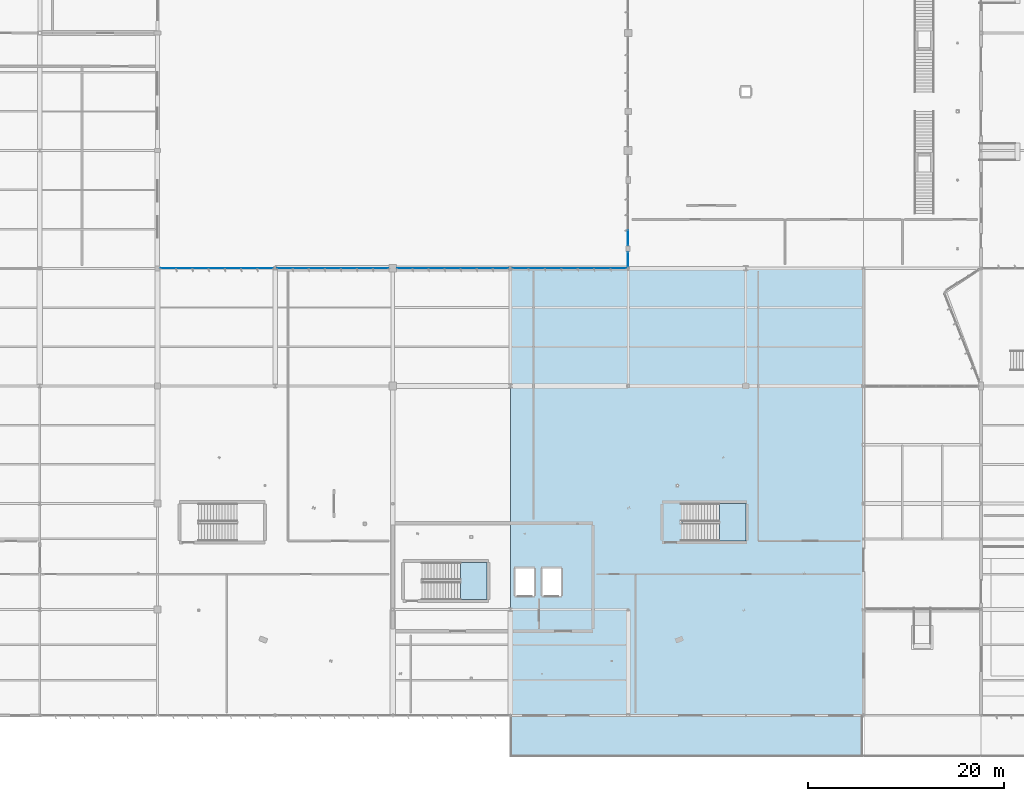
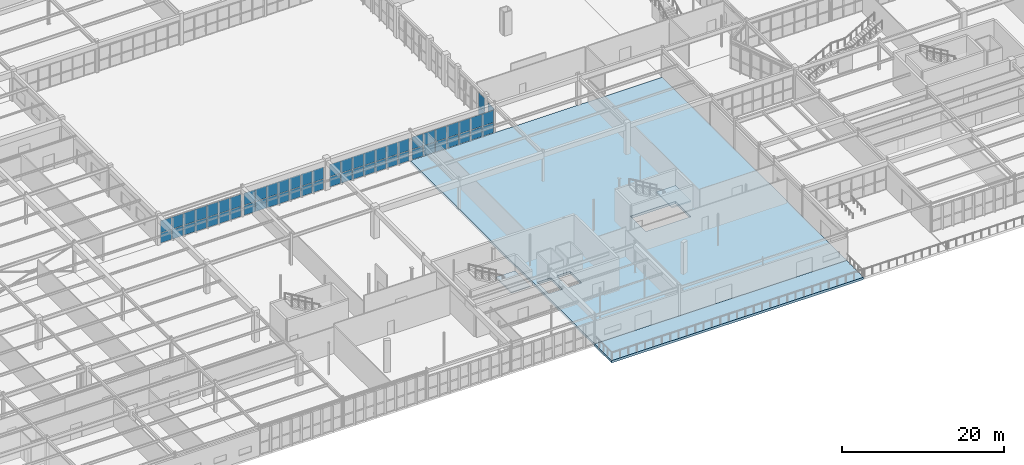
# One storey, part 118 of 199: 60 plates, 4 slabs, 8 elements without a shape of their own.
"""IFC4 building model written with IfcOpenShell, lengths in metres."""

from ifc_helpers import new_model, si_unit, direction, frame, origin, origin_2d, place, context, subcontext, project, spatial, polyline, rectangle, outline, extrude, material, layer, layer_set, type_object, element, aggregate, save


model = new_model("IFC4")

# Units and contexts
model_context = context("Model", 3, precision=1e-05, world=origin(), true_north=direction((0.0, 1.0)))
body_context = subcontext(model_context, "Body", "Model", "MODEL_VIEW")
ifc_project = project(units=[si_unit("LENGTHUNIT", "METRE"), si_unit("AREAUNIT", "SQUARE_METRE"), si_unit("VOLUMEUNIT", "CUBIC_METRE"), si_unit("PLANEANGLEUNIT", "RADIAN"), si_unit("MASSUNIT", "GRAM", prefix="KILO")], contexts=[model_context])

# Site, building, storey
site_placement = place(None, origin())
site = spatial("IfcSite", under=ifc_project, at=site_placement, CompositionType="ELEMENT")
building_placement = place(site_placement, origin())
building = spatial("IfcBuilding", under=site, at=building_placement, Name="Tarnwether General Hospital", CompositionType="ELEMENT")
storey_placement = place(building_placement, origin())
storey = spatial("IfcBuildingStorey", under=building, at=storey_placement, Name="L00", CompositionType="ELEMENT", Elevation=0.0)

# Curtain wall, plates
ifc_material_1 = material(Name="Anodised aluminium", Category="aluminium")
ifc_layer_1 = layer(ifc_material_1, 0.179931640625)
ifc_layer_set_1 = layer_set([ifc_layer_1], Name="Anodised aluminium")
curtain_wall_type_1 = type_object("IfcCurtainWallType", Name="CW-08", PredefinedType="NOTDEFINED", material=ifc_layer_set_1)
curtain_wall_1_placement = place(storey_placement, origin())
curtain_wall_1 = element("IfcCurtainWall", 1, at=curtain_wall_1_placement, inside=storey, type_object=curtain_wall_type_1, Name="Curtain Wall CWG-L00-1080_457-0298", PredefinedType="NOTDEFINED")
ifc_material_2 = material(Name="Double glazed low-E glass", Category="glass")
ifc_layer_2 = layer(ifc_material_2, 0.028076171875)
ifc_layer_set_2 = layer_set([ifc_layer_2], Name="Double glazed low-E glass")
plate_type = type_object("IfcPlateType", Name="PT-CWP1", PredefinedType="CURTAIN_PANEL", material=ifc_layer_set_2)
plate_1_placement = place(storey_placement, frame((108.0, 46.5, 0.06005859375), z_axis=(0.0, 0.0, 1.0), x_axis=(0.0, 1.0, 0.0)))
plate_1 = element("IfcPlate", 2, at=plate_1_placement, type_object=plate_type, Name="CW-08 panel 1.1", PredefinedType="CURTAIN_PANEL", context=body_context, shape_type="SweptSolid", body=[
    extrude(rectangle(XDim=1.464111328125, YDim=0.028076171875, at=origin_2d()), origin(), (0.0, 0.0, 1.0), 1.56591796875),
])
plate_2_placement = place(storey_placement, frame((108.0, 46.5, 1.68603515625), z_axis=(0.0, 0.0, 1.0), x_axis=(0.0, 1.0, 0.0)))
plate_2 = element("IfcPlate", 3, at=plate_2_placement, type_object=plate_type, Name="CW-08 panel 1.2", PredefinedType="CURTAIN_PANEL", context=body_context, shape_type="SweptSolid", body=[
    extrude(rectangle(XDim=1.464111328125, YDim=0.028076171875, at=origin_2d()), origin(), (0.0, 0.0, 1.0), 1.93408203125),
])
aggregate(curtain_wall_1, [plate_1, plate_2])

curtain_wall_2_placement = place(storey_placement, origin())
curtain_wall_2 = element("IfcCurtainWall", 4, at=curtain_wall_2_placement, inside=storey, type_object=curtain_wall_type_1, Name="Curtain Wall CWG-L00-1080_479-0299", PredefinedType="NOTDEFINED")
plate_3_placement = place(storey_placement, frame((108.0, 48.71484375, 0.06005859375), z_axis=(0.0, 0.0, 1.0), x_axis=(0.0, 1.0, 0.0)))
plate_3 = element("IfcPlate", 5, at=plate_3_placement, type_object=plate_type, Name="CW-08 panel 1.1", PredefinedType="CURTAIN_PANEL", context=body_context, shape_type="SweptSolid", body=[
    extrude(rectangle(XDim=1.493408203125, YDim=0.028076171875, at=origin_2d()), origin(), (0.0, 0.0, 1.0), 1.628173828125),
])
plate_4_placement = place(storey_placement, frame((108.0, 48.71484375, 1.748046875), z_axis=(0.0, 0.0, 1.0), x_axis=(0.0, 1.0, 0.0)))
plate_4 = element("IfcPlate", 6, at=plate_4_placement, type_object=plate_type, Name="CW-08 panel 1.2", PredefinedType="CURTAIN_PANEL", context=body_context, shape_type="SweptSolid", body=[
    extrude(rectangle(XDim=1.493408203125, YDim=0.028076171875, at=origin_2d()), origin(), (0.0, 0.0, 1.0), 2.010009765625),
])
aggregate(curtain_wall_2, [plate_3, plate_4])

ifc_material_3 = material(Name="Anodised aluminium", Category="aluminium")
ifc_layer_3 = layer(ifc_material_3, 0.159912109375)
ifc_layer_set_3 = layer_set([ifc_layer_3], Name="Anodised aluminium")
curtain_wall_type_2 = type_object("IfcCurtainWallType", Name="CW-24", PredefinedType="NOTDEFINED", material=ifc_layer_set_3)
curtain_wall_3_placement = place(storey_placement, origin())
curtain_wall_3 = element("IfcCurtainWall", 7, at=curtain_wall_3_placement, inside=storey, type_object=curtain_wall_type_2, Name="Curtain Wall CWG-L00-1079_456-0309", PredefinedType="NOTDEFINED")
plate_5_placement = place(storey_placement, frame((107.039306640625, 45.60009765625, 0.06005859375), z_axis=(0.0, 0.0, 1.0), x_axis=(-1.0, 0.0, 0.0)))
plate_5 = element("IfcPlate", 8, at=plate_5_placement, type_object=plate_type, Name="CW-24 panel 1.1", PredefinedType="CURTAIN_PANEL", context=body_context, shape_type="SweptSolid", body=[
    extrude(rectangle(XDim=1.585693359375, YDim=0.028076171875, at=origin_2d()), origin(), (0.0, 0.0, 1.0), 1.49853515625),
])
plate_6_placement = place(storey_placement, frame((107.039306640625, 45.60009765625, 1.618408203125), z_axis=(0.0, 0.0, 1.0), x_axis=(-1.0, 0.0, 0.0)))
plate_6 = element("IfcPlate", 9, at=plate_6_placement, type_object=plate_type, Name="CW-24 panel 1.2", PredefinedType="CURTAIN_PANEL", context=body_context, shape_type="SweptSolid", body=[
    extrude(rectangle(XDim=1.585693359375, YDim=0.028076171875, at=origin_2d()), origin(), (0.0, 0.0, 1.0), 1.8515625),
])
plate_7_placement = place(storey_placement, frame((105.378662109375, 45.60009765625, 0.06005859375), z_axis=(0.0, 0.0, 1.0), x_axis=(-1.0, 0.0, 0.0)))
plate_7 = element("IfcPlate", 10, at=plate_7_placement, type_object=plate_type, Name="CW-24 panel 2.1", PredefinedType="CURTAIN_PANEL", context=body_context, shape_type="SweptSolid", body=[
    extrude(rectangle(XDim=1.615478515625, YDim=0.028076171875, at=origin_2d()), origin(), (0.0, 0.0, 1.0), 1.49853515625),
])
plate_8_placement = place(storey_placement, frame((105.378662109375, 45.60009765625, 1.618408203125), z_axis=(0.0, 0.0, 1.0), x_axis=(-1.0, 0.0, 0.0)))
plate_8 = element("IfcPlate", 11, at=plate_8_placement, type_object=plate_type, Name="CW-24 panel 2.2", PredefinedType="CURTAIN_PANEL", context=body_context, shape_type="SweptSolid", body=[
    extrude(rectangle(XDim=1.615478515625, YDim=0.028076171875, at=origin_2d()), origin(), (0.0, 0.0, 1.0), 1.8515625),
])
plate_9_placement = place(storey_placement, frame((103.703125, 45.60009765625, 0.06005859375), z_axis=(0.0, 0.0, 1.0), x_axis=(-1.0, 0.0, 0.0)))
plate_9 = element("IfcPlate", 12, at=plate_9_placement, type_object=plate_type, Name="CW-24 panel 3.1", PredefinedType="CURTAIN_PANEL", context=body_context, shape_type="SweptSolid", body=[
    extrude(rectangle(XDim=1.615478515625, YDim=0.028076171875, at=origin_2d()), origin(), (0.0, 0.0, 1.0), 1.49853515625),
])
plate_10_placement = place(storey_placement, frame((103.703125, 45.60009765625, 1.618408203125), z_axis=(0.0, 0.0, 1.0), x_axis=(-1.0, 0.0, 0.0)))
plate_10 = element("IfcPlate", 13, at=plate_10_placement, type_object=plate_type, Name="CW-24 panel 3.2", PredefinedType="CURTAIN_PANEL", context=body_context, shape_type="SweptSolid", body=[
    extrude(rectangle(XDim=1.615478515625, YDim=0.028076171875, at=origin_2d()), origin(), (0.0, 0.0, 1.0), 1.8515625),
])
plate_11_placement = place(storey_placement, frame((102.027587890625, 45.60009765625, 0.06005859375), z_axis=(0.0, 0.0, 1.0), x_axis=(-1.0, 0.0, 0.0)))
plate_11 = element("IfcPlate", 14, at=plate_11_placement, type_object=plate_type, Name="CW-24 panel 4.1", PredefinedType="CURTAIN_PANEL", context=body_context, shape_type="SweptSolid", body=[
    extrude(rectangle(XDim=1.615478515625, YDim=0.028076171875, at=origin_2d()), origin(), (0.0, 0.0, 1.0), 1.49853515625),
])
plate_12_placement = place(storey_placement, frame((102.027587890625, 45.60009765625, 1.618408203125), z_axis=(0.0, 0.0, 1.0), x_axis=(-1.0, 0.0, 0.0)))
plate_12 = element("IfcPlate", 15, at=plate_12_placement, type_object=plate_type, Name="CW-24 panel 4.2", PredefinedType="CURTAIN_PANEL", context=body_context, shape_type="SweptSolid", body=[
    extrude(rectangle(XDim=1.615478515625, YDim=0.028076171875, at=origin_2d()), origin(), (0.0, 0.0, 1.0), 1.8515625),
])
plate_13_placement = place(storey_placement, frame((100.351806640625, 45.60009765625, 0.06005859375), z_axis=(0.0, 0.0, 1.0), x_axis=(-1.0, 0.0, 0.0)))
plate_13 = element("IfcPlate", 16, at=plate_13_placement, type_object=plate_type, Name="CW-24 panel 5.1", PredefinedType="CURTAIN_PANEL", context=body_context, shape_type="SweptSolid", body=[
    extrude(rectangle(XDim=1.615478515625, YDim=0.028076171875, at=origin_2d()), origin(), (0.0, 0.0, 1.0), 1.49853515625),
])
plate_14_placement = place(storey_placement, frame((100.351806640625, 45.60009765625, 1.618408203125), z_axis=(0.0, 0.0, 1.0), x_axis=(-1.0, 0.0, 0.0)))
plate_14 = element("IfcPlate", 17, at=plate_14_placement, type_object=plate_type, Name="CW-24 panel 5.2", PredefinedType="CURTAIN_PANEL", context=body_context, shape_type="SweptSolid", body=[
    extrude(rectangle(XDim=1.615478515625, YDim=0.028076171875, at=origin_2d()), origin(), (0.0, 0.0, 1.0), 1.8515625),
])
plate_15_placement = place(storey_placement, frame((98.67626953125, 45.60009765625, 0.06005859375), z_axis=(0.0, 0.0, 1.0), x_axis=(-1.0, 0.0, 0.0)))
plate_15 = element("IfcPlate", 18, at=plate_15_placement, type_object=plate_type, Name="CW-24 panel 6.1", PredefinedType="CURTAIN_PANEL", context=body_context, shape_type="SweptSolid", body=[
    extrude(rectangle(XDim=1.615478515625, YDim=0.028076171875, at=origin_2d()), origin(), (0.0, 0.0, 1.0), 1.49853515625),
])
plate_16_placement = place(storey_placement, frame((98.67626953125, 45.60009765625, 1.618408203125), z_axis=(0.0, 0.0, 1.0), x_axis=(-1.0, 0.0, 0.0)))
plate_16 = element("IfcPlate", 19, at=plate_16_placement, type_object=plate_type, Name="CW-24 panel 6.2", PredefinedType="CURTAIN_PANEL", context=body_context, shape_type="SweptSolid", body=[
    extrude(rectangle(XDim=1.615478515625, YDim=0.028076171875, at=origin_2d()), origin(), (0.0, 0.0, 1.0), 1.8515625),
])
plate_17_placement = place(storey_placement, frame((97.015869140625, 45.60009765625, 0.06005859375), z_axis=(0.0, 0.0, 1.0), x_axis=(-1.0, 0.0, 0.0)))
plate_17 = element("IfcPlate", 20, at=plate_17_placement, type_object=plate_type, Name="CW-24 panel 7.1", PredefinedType="CURTAIN_PANEL", context=body_context, shape_type="SweptSolid", body=[
    extrude(rectangle(XDim=1.585693359375, YDim=0.028076171875, at=origin_2d()), origin(), (0.0, 0.0, 1.0), 1.49853515625),
])
plate_18_placement = place(storey_placement, frame((97.015869140625, 45.60009765625, 1.618408203125), z_axis=(0.0, 0.0, 1.0), x_axis=(-1.0, 0.0, 0.0)))
plate_18 = element("IfcPlate", 21, at=plate_18_placement, type_object=plate_type, Name="CW-24 panel 7.2", PredefinedType="CURTAIN_PANEL", context=body_context, shape_type="SweptSolid", body=[
    extrude(rectangle(XDim=1.585693359375, YDim=0.028076171875, at=origin_2d()), origin(), (0.0, 0.0, 1.0), 1.8515625),
])
aggregate(curtain_wall_3, [plate_5, plate_6, plate_7, plate_8, plate_9, plate_10, plate_11, plate_12, plate_13, plate_14, plate_15, plate_16, plate_17, plate_18])

curtain_wall_4_placement = place(storey_placement, origin())
curtain_wall_4 = element("IfcCurtainWall", 22, at=curtain_wall_4_placement, inside=storey, type_object=curtain_wall_type_2, Name="Curtain Wall CWG-L00-958_456-0310", PredefinedType="NOTDEFINED")
plate_19_placement = place(storey_placement, frame((95.00390625, 45.60009765625, 0.06005859375), z_axis=(0.0, 0.0, 1.0), x_axis=(-1.0, 0.0, 0.0)))
plate_19 = element("IfcPlate", 23, at=plate_19_placement, type_object=plate_type, Name="CW-24 panel 1.1", PredefinedType="CURTAIN_PANEL", context=body_context, shape_type="SweptSolid", body=[
    extrude(rectangle(XDim=1.54638671875, YDim=0.028076171875, at=origin_2d()), origin(), (0.0, 0.0, 1.0), 1.49853515625),
])
plate_20_placement = place(storey_placement, frame((95.00390625, 45.60009765625, 1.618408203125), z_axis=(0.0, 0.0, 1.0), x_axis=(-1.0, 0.0, 0.0)))
plate_20 = element("IfcPlate", 24, at=plate_20_placement, type_object=plate_type, Name="CW-24 panel 1.2", PredefinedType="CURTAIN_PANEL", context=body_context, shape_type="SweptSolid", body=[
    extrude(rectangle(XDim=1.54638671875, YDim=0.028076171875, at=origin_2d()), origin(), (0.0, 0.0, 1.0), 1.8515625),
])
plate_21_placement = place(storey_placement, frame((93.382568359375, 45.60009765625, 0.06005859375), z_axis=(0.0, 0.0, 1.0), x_axis=(-1.0, 0.0, 0.0)))
plate_21 = element("IfcPlate", 25, at=plate_21_placement, type_object=plate_type, Name="CW-24 panel 2.1", PredefinedType="CURTAIN_PANEL", context=body_context, shape_type="SweptSolid", body=[
    extrude(rectangle(XDim=1.576171875, YDim=0.028076171875, at=origin_2d()), origin(), (0.0, 0.0, 1.0), 1.49853515625),
])
plate_22_placement = place(storey_placement, frame((93.382568359375, 45.60009765625, 1.618408203125), z_axis=(0.0, 0.0, 1.0), x_axis=(-1.0, 0.0, 0.0)))
plate_22 = element("IfcPlate", 26, at=plate_22_placement, type_object=plate_type, Name="CW-24 panel 2.2", PredefinedType="CURTAIN_PANEL", context=body_context, shape_type="SweptSolid", body=[
    extrude(rectangle(XDim=1.576171875, YDim=0.028076171875, at=origin_2d()), origin(), (0.0, 0.0, 1.0), 1.8515625),
])
plate_23_placement = place(storey_placement, frame((91.746337890625, 45.60009765625, 0.06005859375), z_axis=(0.0, 0.0, 1.0), x_axis=(-1.0, 0.0, 0.0)))
plate_23 = element("IfcPlate", 27, at=plate_23_placement, type_object=plate_type, Name="CW-24 panel 3.1", PredefinedType="CURTAIN_PANEL", context=body_context, shape_type="SweptSolid", body=[
    extrude(rectangle(XDim=1.576171875, YDim=0.028076171875, at=origin_2d()), origin(), (0.0, 0.0, 1.0), 1.49853515625),
])
plate_24_placement = place(storey_placement, frame((91.746337890625, 45.60009765625, 1.618408203125), z_axis=(0.0, 0.0, 1.0), x_axis=(-1.0, 0.0, 0.0)))
plate_24 = element("IfcPlate", 28, at=plate_24_placement, type_object=plate_type, Name="CW-24 panel 3.2", PredefinedType="CURTAIN_PANEL", context=body_context, shape_type="SweptSolid", body=[
    extrude(rectangle(XDim=1.576171875, YDim=0.028076171875, at=origin_2d()), origin(), (0.0, 0.0, 1.0), 1.8515625),
])
plate_25_placement = place(storey_placement, frame((90.110107421875, 45.60009765625, 0.06005859375), z_axis=(0.0, 0.0, 1.0), x_axis=(-1.0, 0.0, 0.0)))
plate_25 = element("IfcPlate", 29, at=plate_25_placement, type_object=plate_type, Name="CW-24 panel 4.1", PredefinedType="CURTAIN_PANEL", context=body_context, shape_type="SweptSolid", body=[
    extrude(rectangle(XDim=1.576171875, YDim=0.028076171875, at=origin_2d()), origin(), (0.0, 0.0, 1.0), 1.49853515625),
])
plate_26_placement = place(storey_placement, frame((90.110107421875, 45.60009765625, 1.618408203125), z_axis=(0.0, 0.0, 1.0), x_axis=(-1.0, 0.0, 0.0)))
plate_26 = element("IfcPlate", 30, at=plate_26_placement, type_object=plate_type, Name="CW-24 panel 4.2", PredefinedType="CURTAIN_PANEL", context=body_context, shape_type="SweptSolid", body=[
    extrude(rectangle(XDim=1.576171875, YDim=0.028076171875, at=origin_2d()), origin(), (0.0, 0.0, 1.0), 1.8515625),
])
plate_27_placement = place(storey_placement, frame((88.4736328125, 45.60009765625, 0.06005859375), z_axis=(0.0, 0.0, 1.0), x_axis=(-1.0, 0.0, 0.0)))
plate_27 = element("IfcPlate", 31, at=plate_27_placement, type_object=plate_type, Name="CW-24 panel 5.1", PredefinedType="CURTAIN_PANEL", context=body_context, shape_type="SweptSolid", body=[
    extrude(rectangle(XDim=1.576171875, YDim=0.028076171875, at=origin_2d()), origin(), (0.0, 0.0, 1.0), 1.49853515625),
])
plate_28_placement = place(storey_placement, frame((88.4736328125, 45.60009765625, 1.618408203125), z_axis=(0.0, 0.0, 1.0), x_axis=(-1.0, 0.0, 0.0)))
plate_28 = element("IfcPlate", 32, at=plate_28_placement, type_object=plate_type, Name="CW-24 panel 5.2", PredefinedType="CURTAIN_PANEL", context=body_context, shape_type="SweptSolid", body=[
    extrude(rectangle(XDim=1.576171875, YDim=0.028076171875, at=origin_2d()), origin(), (0.0, 0.0, 1.0), 1.8515625),
])
plate_29_placement = place(storey_placement, frame((86.83740234375, 45.60009765625, 0.06005859375), z_axis=(0.0, 0.0, 1.0), x_axis=(-1.0, 0.0, 0.0)))
plate_29 = element("IfcPlate", 33, at=plate_29_placement, type_object=plate_type, Name="CW-24 panel 6.1", PredefinedType="CURTAIN_PANEL", context=body_context, shape_type="SweptSolid", body=[
    extrude(rectangle(XDim=1.576171875, YDim=0.028076171875, at=origin_2d()), origin(), (0.0, 0.0, 1.0), 1.49853515625),
])
plate_30_placement = place(storey_placement, frame((86.83740234375, 45.60009765625, 1.618408203125), z_axis=(0.0, 0.0, 1.0), x_axis=(-1.0, 0.0, 0.0)))
plate_30 = element("IfcPlate", 34, at=plate_30_placement, type_object=plate_type, Name="CW-24 panel 6.2", PredefinedType="CURTAIN_PANEL", context=body_context, shape_type="SweptSolid", body=[
    extrude(rectangle(XDim=1.576171875, YDim=0.028076171875, at=origin_2d()), origin(), (0.0, 0.0, 1.0), 1.8515625),
])
plate_31_placement = place(storey_placement, frame((85.216064453125, 45.60009765625, 0.06005859375), z_axis=(0.0, 0.0, 1.0), x_axis=(-1.0, 0.0, 0.0)))
plate_31 = element("IfcPlate", 35, at=plate_31_placement, type_object=plate_type, Name="CW-24 panel 7.1", PredefinedType="CURTAIN_PANEL", context=body_context, shape_type="SweptSolid", body=[
    extrude(rectangle(XDim=1.54638671875, YDim=0.028076171875, at=origin_2d()), origin(), (0.0, 0.0, 1.0), 1.49853515625),
])
plate_32_placement = place(storey_placement, frame((85.216064453125, 45.60009765625, 1.618408203125), z_axis=(0.0, 0.0, 1.0), x_axis=(-1.0, 0.0, 0.0)))
plate_32 = element("IfcPlate", 36, at=plate_32_placement, type_object=plate_type, Name="CW-24 panel 7.2", PredefinedType="CURTAIN_PANEL", context=body_context, shape_type="SweptSolid", body=[
    extrude(rectangle(XDim=1.54638671875, YDim=0.028076171875, at=origin_2d()), origin(), (0.0, 0.0, 1.0), 1.8515625),
])
aggregate(curtain_wall_4, [plate_19, plate_20, plate_21, plate_22, plate_23, plate_24, plate_25, plate_26, plate_27, plate_28, plate_29, plate_30, plate_31, plate_32])

curtain_wall_5_placement = place(storey_placement, origin())
curtain_wall_5 = element("IfcCurtainWall", 37, at=curtain_wall_5_placement, inside=storey, type_object=curtain_wall_type_2, Name="Curtain Wall CWG-L00-836_456-0311", PredefinedType="NOTDEFINED")
plate_33_placement = place(storey_placement, frame((82.78369140625, 45.60009765625, 0.06005859375), z_axis=(0.0, 0.0, 1.0), x_axis=(-1.0, 0.0, 0.0)))
plate_33 = element("IfcPlate", 38, at=plate_33_placement, type_object=plate_type, Name="CW-24 panel 1.1", PredefinedType="CURTAIN_PANEL", context=body_context, shape_type="SweptSolid", body=[
    extrude(rectangle(XDim=1.546630859375, YDim=0.028076171875, at=origin_2d()), origin(), (0.0, 0.0, 1.0), 1.47607421875),
])
plate_34_placement = place(storey_placement, frame((82.78369140625, 45.60009765625, 1.59619140625), z_axis=(0.0, 0.0, 1.0), x_axis=(-1.0, 0.0, 0.0)))
plate_34 = element("IfcPlate", 39, at=plate_34_placement, type_object=plate_type, Name="CW-24 panel 1.2", PredefinedType="CURTAIN_PANEL", context=body_context, shape_type="SweptSolid", body=[
    extrude(rectangle(XDim=1.546630859375, YDim=0.028076171875, at=origin_2d()), origin(), (0.0, 0.0, 1.0), 1.823974609375),
])
plate_35_placement = place(storey_placement, frame((81.162109375, 45.60009765625, 0.06005859375), z_axis=(0.0, 0.0, 1.0), x_axis=(-1.0, 0.0, 0.0)))
plate_35 = element("IfcPlate", 40, at=plate_35_placement, type_object=plate_type, Name="CW-24 panel 2.1", PredefinedType="CURTAIN_PANEL", context=body_context, shape_type="SweptSolid", body=[
    extrude(rectangle(XDim=1.57666015625, YDim=0.028076171875, at=origin_2d()), origin(), (0.0, 0.0, 1.0), 1.47607421875),
])
plate_36_placement = place(storey_placement, frame((81.162109375, 45.60009765625, 1.59619140625), z_axis=(0.0, 0.0, 1.0), x_axis=(-1.0, 0.0, 0.0)))
plate_36 = element("IfcPlate", 41, at=plate_36_placement, type_object=plate_type, Name="CW-24 panel 2.2", PredefinedType="CURTAIN_PANEL", context=body_context, shape_type="SweptSolid", body=[
    extrude(rectangle(XDim=1.57666015625, YDim=0.028076171875, at=origin_2d()), origin(), (0.0, 0.0, 1.0), 1.823974609375),
])
plate_37_placement = place(storey_placement, frame((79.525634765625, 45.60009765625, 0.06005859375), z_axis=(0.0, 0.0, 1.0), x_axis=(-1.0, 0.0, 0.0)))
plate_37 = element("IfcPlate", 42, at=plate_37_placement, type_object=plate_type, Name="CW-24 panel 3.1", PredefinedType="CURTAIN_PANEL", context=body_context, shape_type="SweptSolid", body=[
    extrude(rectangle(XDim=1.57666015625, YDim=0.028076171875, at=origin_2d()), origin(), (0.0, 0.0, 1.0), 1.47607421875),
])
plate_38_placement = place(storey_placement, frame((79.525634765625, 45.60009765625, 1.59619140625), z_axis=(0.0, 0.0, 1.0), x_axis=(-1.0, 0.0, 0.0)))
plate_38 = element("IfcPlate", 43, at=plate_38_placement, type_object=plate_type, Name="CW-24 panel 3.2", PredefinedType="CURTAIN_PANEL", context=body_context, shape_type="SweptSolid", body=[
    extrude(rectangle(XDim=1.57666015625, YDim=0.028076171875, at=origin_2d()), origin(), (0.0, 0.0, 1.0), 1.823974609375),
])
plate_39_placement = place(storey_placement, frame((77.888916015625, 45.60009765625, 0.06005859375), z_axis=(0.0, 0.0, 1.0), x_axis=(-1.0, 0.0, 0.0)))
plate_39 = element("IfcPlate", 44, at=plate_39_placement, type_object=plate_type, Name="CW-24 panel 4.1", PredefinedType="CURTAIN_PANEL", context=body_context, shape_type="SweptSolid", body=[
    extrude(rectangle(XDim=1.57666015625, YDim=0.028076171875, at=origin_2d()), origin(), (0.0, 0.0, 1.0), 1.47607421875),
])
plate_40_placement = place(storey_placement, frame((77.888916015625, 45.60009765625, 1.59619140625), z_axis=(0.0, 0.0, 1.0), x_axis=(-1.0, 0.0, 0.0)))
plate_40 = element("IfcPlate", 45, at=plate_40_placement, type_object=plate_type, Name="CW-24 panel 4.2", PredefinedType="CURTAIN_PANEL", context=body_context, shape_type="SweptSolid", body=[
    extrude(rectangle(XDim=1.57666015625, YDim=0.028076171875, at=origin_2d()), origin(), (0.0, 0.0, 1.0), 1.823974609375),
])
plate_41_placement = place(storey_placement, frame((76.25244140625, 45.60009765625, 0.06005859375), z_axis=(0.0, 0.0, 1.0), x_axis=(-1.0, 0.0, 0.0)))
plate_41 = element("IfcPlate", 46, at=plate_41_placement, type_object=plate_type, Name="CW-24 panel 5.1", PredefinedType="CURTAIN_PANEL", context=body_context, shape_type="SweptSolid", body=[
    extrude(rectangle(XDim=1.57666015625, YDim=0.028076171875, at=origin_2d()), origin(), (0.0, 0.0, 1.0), 1.47607421875),
])
plate_42_placement = place(storey_placement, frame((76.25244140625, 45.60009765625, 1.59619140625), z_axis=(0.0, 0.0, 1.0), x_axis=(-1.0, 0.0, 0.0)))
plate_42 = element("IfcPlate", 47, at=plate_42_placement, type_object=plate_type, Name="CW-24 panel 5.2", PredefinedType="CURTAIN_PANEL", context=body_context, shape_type="SweptSolid", body=[
    extrude(rectangle(XDim=1.57666015625, YDim=0.028076171875, at=origin_2d()), origin(), (0.0, 0.0, 1.0), 1.823974609375),
])
plate_43_placement = place(storey_placement, frame((74.615966796875, 45.60009765625, 0.06005859375), z_axis=(0.0, 0.0, 1.0), x_axis=(-1.0, 0.0, 0.0)))
plate_43 = element("IfcPlate", 48, at=plate_43_placement, type_object=plate_type, Name="CW-24 panel 6.1", PredefinedType="CURTAIN_PANEL", context=body_context, shape_type="SweptSolid", body=[
    extrude(rectangle(XDim=1.57666015625, YDim=0.028076171875, at=origin_2d()), origin(), (0.0, 0.0, 1.0), 1.47607421875),
])
plate_44_placement = place(storey_placement, frame((74.615966796875, 45.60009765625, 1.59619140625), z_axis=(0.0, 0.0, 1.0), x_axis=(-1.0, 0.0, 0.0)))
plate_44 = element("IfcPlate", 49, at=plate_44_placement, type_object=plate_type, Name="CW-24 panel 6.2", PredefinedType="CURTAIN_PANEL", context=body_context, shape_type="SweptSolid", body=[
    extrude(rectangle(XDim=1.57666015625, YDim=0.028076171875, at=origin_2d()), origin(), (0.0, 0.0, 1.0), 1.823974609375),
])
plate_45_placement = place(storey_placement, frame((72.994384765625, 45.60009765625, 0.06005859375), z_axis=(0.0, 0.0, 1.0), x_axis=(-1.0, 0.0, 0.0)))
plate_45 = element("IfcPlate", 50, at=plate_45_placement, type_object=plate_type, Name="CW-24 panel 7.1", PredefinedType="CURTAIN_PANEL", context=body_context, shape_type="SweptSolid", body=[
    extrude(rectangle(XDim=1.546630859375, YDim=0.028076171875, at=origin_2d()), origin(), (0.0, 0.0, 1.0), 1.47607421875),
])
plate_46_placement = place(storey_placement, frame((72.994384765625, 45.60009765625, 1.59619140625), z_axis=(0.0, 0.0, 1.0), x_axis=(-1.0, 0.0, 0.0)))
plate_46 = element("IfcPlate", 51, at=plate_46_placement, type_object=plate_type, Name="CW-24 panel 7.2", PredefinedType="CURTAIN_PANEL", context=body_context, shape_type="SweptSolid", body=[
    extrude(rectangle(XDim=1.546630859375, YDim=0.028076171875, at=origin_2d()), origin(), (0.0, 0.0, 1.0), 1.823974609375),
])
aggregate(curtain_wall_5, [plate_33, plate_34, plate_35, plate_36, plate_37, plate_38, plate_39, plate_40, plate_41, plate_42, plate_43, plate_44, plate_45, plate_46])

curtain_wall_6_placement = place(storey_placement, origin())
curtain_wall_6 = element("IfcCurtainWall", 52, at=curtain_wall_6_placement, inside=storey, type_object=curtain_wall_type_2, Name="Curtain Wall CWG-L00-718_456-0312", PredefinedType="NOTDEFINED")
plate_47_placement = place(storey_placement, frame((70.996826171875, 45.60009765625, 0.06005859375), z_axis=(0.0, 0.0, 1.0), x_axis=(-1.0, 0.0, 0.0)))
plate_47 = element("IfcPlate", 53, at=plate_47_placement, type_object=plate_type, Name="CW-24 panel 1.1", PredefinedType="CURTAIN_PANEL", context=body_context, shape_type="SweptSolid", body=[
    extrude(rectangle(XDim=1.564453125, YDim=0.028076171875, at=origin_2d()), origin(), (0.0, 0.0, 1.0), 1.47607421875),
])
plate_48_placement = place(storey_placement, frame((70.996826171875, 45.60009765625, 1.59619140625), z_axis=(0.0, 0.0, 1.0), x_axis=(-1.0, 0.0, 0.0)))
plate_48 = element("IfcPlate", 54, at=plate_48_placement, type_object=plate_type, Name="CW-24 panel 1.2", PredefinedType="CURTAIN_PANEL", context=body_context, shape_type="SweptSolid", body=[
    extrude(rectangle(XDim=1.564453125, YDim=0.028076171875, at=origin_2d()), origin(), (0.0, 0.0, 1.0), 1.823974609375),
])
plate_49_placement = place(storey_placement, frame((69.357421875, 45.60009765625, 0.06005859375), z_axis=(0.0, 0.0, 1.0), x_axis=(-1.0, 0.0, 0.0)))
plate_49 = element("IfcPlate", 55, at=plate_49_placement, type_object=plate_type, Name="CW-24 panel 2.1", PredefinedType="CURTAIN_PANEL", context=body_context, shape_type="SweptSolid", body=[
    extrude(rectangle(XDim=1.594482421875, YDim=0.028076171875, at=origin_2d()), origin(), (0.0, 0.0, 1.0), 1.47607421875),
])
plate_50_placement = place(storey_placement, frame((69.357421875, 45.60009765625, 1.59619140625), z_axis=(0.0, 0.0, 1.0), x_axis=(-1.0, 0.0, 0.0)))
plate_50 = element("IfcPlate", 56, at=plate_50_placement, type_object=plate_type, Name="CW-24 panel 2.2", PredefinedType="CURTAIN_PANEL", context=body_context, shape_type="SweptSolid", body=[
    extrude(rectangle(XDim=1.594482421875, YDim=0.028076171875, at=origin_2d()), origin(), (0.0, 0.0, 1.0), 1.823974609375),
])
plate_51_placement = place(storey_placement, frame((67.702880859375, 45.60009765625, 0.06005859375), z_axis=(0.0, 0.0, 1.0), x_axis=(-1.0, 0.0, 0.0)))
plate_51 = element("IfcPlate", 57, at=plate_51_placement, type_object=plate_type, Name="CW-24 panel 3.1", PredefinedType="CURTAIN_PANEL", context=body_context, shape_type="SweptSolid", body=[
    extrude(rectangle(XDim=1.594482421875, YDim=0.028076171875, at=origin_2d()), origin(), (0.0, 0.0, 1.0), 1.47607421875),
])
plate_52_placement = place(storey_placement, frame((67.702880859375, 45.60009765625, 1.59619140625), z_axis=(0.0, 0.0, 1.0), x_axis=(-1.0, 0.0, 0.0)))
plate_52 = element("IfcPlate", 58, at=plate_52_placement, type_object=plate_type, Name="CW-24 panel 3.2", PredefinedType="CURTAIN_PANEL", context=body_context, shape_type="SweptSolid", body=[
    extrude(rectangle(XDim=1.594482421875, YDim=0.028076171875, at=origin_2d()), origin(), (0.0, 0.0, 1.0), 1.823974609375),
])
plate_53_placement = place(storey_placement, frame((66.048583984375, 45.60009765625, 0.06005859375), z_axis=(0.0, 0.0, 1.0), x_axis=(-1.0, 0.0, 0.0)))
plate_53 = element("IfcPlate", 59, at=plate_53_placement, type_object=plate_type, Name="CW-24 panel 4.1", PredefinedType="CURTAIN_PANEL", context=body_context, shape_type="SweptSolid", body=[
    extrude(rectangle(XDim=1.594482421875, YDim=0.028076171875, at=origin_2d()), origin(), (0.0, 0.0, 1.0), 1.47607421875),
])
plate_54_placement = place(storey_placement, frame((66.048583984375, 45.60009765625, 1.59619140625), z_axis=(0.0, 0.0, 1.0), x_axis=(-1.0, 0.0, 0.0)))
plate_54 = element("IfcPlate", 60, at=plate_54_placement, type_object=plate_type, Name="CW-24 panel 4.2", PredefinedType="CURTAIN_PANEL", context=body_context, shape_type="SweptSolid", body=[
    extrude(rectangle(XDim=1.594482421875, YDim=0.028076171875, at=origin_2d()), origin(), (0.0, 0.0, 1.0), 1.823974609375),
])
plate_55_placement = place(storey_placement, frame((64.39404296875, 45.60009765625, 0.06005859375), z_axis=(0.0, 0.0, 1.0), x_axis=(-1.0, 0.0, 0.0)))
plate_55 = element("IfcPlate", 61, at=plate_55_placement, type_object=plate_type, Name="CW-24 panel 5.1", PredefinedType="CURTAIN_PANEL", context=body_context, shape_type="SweptSolid", body=[
    extrude(rectangle(XDim=1.594482421875, YDim=0.028076171875, at=origin_2d()), origin(), (0.0, 0.0, 1.0), 1.47607421875),
])
plate_56_placement = place(storey_placement, frame((64.39404296875, 45.60009765625, 1.59619140625), z_axis=(0.0, 0.0, 1.0), x_axis=(-1.0, 0.0, 0.0)))
plate_56 = element("IfcPlate", 62, at=plate_56_placement, type_object=plate_type, Name="CW-24 panel 5.2", PredefinedType="CURTAIN_PANEL", context=body_context, shape_type="SweptSolid", body=[
    extrude(rectangle(XDim=1.594482421875, YDim=0.028076171875, at=origin_2d()), origin(), (0.0, 0.0, 1.0), 1.823974609375),
])
plate_57_placement = place(storey_placement, frame((62.73974609375, 45.60009765625, 0.06005859375), z_axis=(0.0, 0.0, 1.0), x_axis=(-1.0, 0.0, 0.0)))
plate_57 = element("IfcPlate", 63, at=plate_57_placement, type_object=plate_type, Name="CW-24 panel 6.1", PredefinedType="CURTAIN_PANEL", context=body_context, shape_type="SweptSolid", body=[
    extrude(rectangle(XDim=1.594482421875, YDim=0.028076171875, at=origin_2d()), origin(), (0.0, 0.0, 1.0), 1.47607421875),
])
plate_58_placement = place(storey_placement, frame((62.73974609375, 45.60009765625, 1.59619140625), z_axis=(0.0, 0.0, 1.0), x_axis=(-1.0, 0.0, 0.0)))
plate_58 = element("IfcPlate", 64, at=plate_58_placement, type_object=plate_type, Name="CW-24 panel 6.2", PredefinedType="CURTAIN_PANEL", context=body_context, shape_type="SweptSolid", body=[
    extrude(rectangle(XDim=1.594482421875, YDim=0.028076171875, at=origin_2d()), origin(), (0.0, 0.0, 1.0), 1.823974609375),
])
plate_59_placement = place(storey_placement, frame((61.10009765625, 45.60009765625, 0.06005859375), z_axis=(0.0, 0.0, 1.0), x_axis=(-1.0, 0.0, 0.0)))
plate_59 = element("IfcPlate", 65, at=plate_59_placement, type_object=plate_type, Name="CW-24 panel 7.1", PredefinedType="CURTAIN_PANEL", context=body_context, shape_type="SweptSolid", body=[
    extrude(rectangle(XDim=1.564453125, YDim=0.028076171875, at=origin_2d()), origin(), (0.0, 0.0, 1.0), 1.47607421875),
])
plate_60_placement = place(storey_placement, frame((61.10009765625, 45.60009765625, 1.59619140625), z_axis=(0.0, 0.0, 1.0), x_axis=(-1.0, 0.0, 0.0)))
plate_60 = element("IfcPlate", 66, at=plate_60_placement, type_object=plate_type, Name="CW-24 panel 7.2", PredefinedType="CURTAIN_PANEL", context=body_context, shape_type="SweptSolid", body=[
    extrude(rectangle(XDim=1.564453125, YDim=0.028076171875, at=origin_2d()), origin(), (0.0, 0.0, 1.0), 1.823974609375),
])
aggregate(curtain_wall_6, [plate_47, plate_48, plate_49, plate_50, plate_51, plate_52, plate_53, plate_54, plate_55, plate_56, plate_57, plate_58, plate_59, plate_60])

# Slab
ifc_material_4 = material(Name="Concrete 40 MPa", Category="concrete")
ifc_layer_4 = layer(ifc_material_4, 0.3701171875)
ifc_layer_set_4 = layer_set([ifc_layer_4], Name="Concrete 40 MPa")
slab_type_1 = type_object("IfcSlabType", Name="SL-FL260", PredefinedType="FLOOR", material=ifc_layer_set_4)
slab_1_placement = place(storey_placement, frame((0.0, 0.0, -0.3701171875)))
element("IfcSlab", 67, at=slab_1_placement, inside=storey, type_object=slab_type_1, Name="L00 South Diagnostic East Floor SL-L00-V4S2", PredefinedType="FLOOR", context=body_context, shape_type="SweptSolid", body=[
    extrude(outline(polyline([(96.0, 0.0), (96.0, 45.60009765625), (132.0, 45.60009765625), (132.0, 0.0), (96.0, 0.0)]), holes=[polyline([(96.469970703125, 15.030029296875), (96.469970703125, 12.169921875), (98.429931640625, 12.169921875), (98.429931640625, 15.030029296875), (96.469970703125, 15.030029296875)]), polyline([(101.179931640625, 15.030029296875), (99.219970703125, 15.030029296875), (99.219970703125, 12.169921875), (101.179931640625, 12.169921875), (101.179931640625, 15.030029296875)]), polyline([(120.0, 21.60009765625), (113.580078125, 21.60009765625), (113.580078125, 17.800048828125), (120.0, 17.800048828125), (120.0, 21.60009765625)])]), origin(), (0.0, 0.0, 1.0), 0.3701171875),
])

# Stair, slab
ifc_material_5 = material(Name="Concrete 40 MPa", Category="concrete")
stair_type = type_object("IfcStairType", Name="ST-DL48B", PredefinedType="HALF_TURN_STAIR", material=ifc_material_5)
stair_1_placement = place(storey_placement, origin())
stair_1 = element("IfcStair", 68, at=stair_1_placement, inside=storey, type_object=stair_type, Name="L00 Exit Stair ST-02", PredefinedType="HALF_TURN_STAIR")
ifc_material_6 = material(Name="Concrete 40 MPa", Category="concrete")
ifc_layer_5 = layer(ifc_material_6, 0.199951171875)
ifc_layer_set_5 = layer_set([ifc_layer_5], Name="Concrete 40 MPa")
slab_type_2 = type_object("IfcSlabType", Name="SL-LD200", PredefinedType="LANDING", material=ifc_layer_set_5)
slab_2_placement = place(storey_placement, frame((0.0, 0.0, 2.199951171875)))
slab_2 = element("IfcSlab", 69, at=slab_2_placement, type_object=slab_type_2, Name="ST-02 landing 1", PredefinedType="LANDING", context=body_context, shape_type="SweptSolid", body=[
    extrude(outline(polyline([(90.89990234375, 11.800048828125), (93.60009765625, 11.800048828125), (93.60009765625, 15.60009765625), (90.89990234375, 15.60009765625), (90.89990234375, 11.800048828125)])), origin(), (0.0, 0.0, 1.0), 0.199951171875),
])
aggregate(stair_1, [slab_2])

stair_2_placement = place(storey_placement, origin())
stair_2 = element("IfcStair", 70, at=stair_2_placement, inside=storey, type_object=stair_type, Name="L00 Exit Stair ST-10", PredefinedType="HALF_TURN_STAIR")
slab_3_placement = place(storey_placement, frame((0.0, 0.0, 2.199951171875)))
slab_3 = element("IfcSlab", 71, at=slab_3_placement, type_object=slab_type_2, Name="ST-10 landing 1", PredefinedType="LANDING", context=body_context, shape_type="SweptSolid", body=[
    extrude(outline(polyline([(117.300048828125, 17.800048828125), (120.0, 17.800048828125), (120.0, 21.60009765625), (117.300048828125, 21.60009765625), (117.300048828125, 17.800048828125)])), origin(), (0.0, 0.0, 1.0), 0.199951171875),
])
aggregate(stair_2, [slab_3])

# Slab
ifc_material_7 = material(Name="Concrete 40 MPa", Category="concrete")
ifc_layer_6 = layer(ifc_material_7, 0.360107421875)
ifc_layer_set_6 = layer_set([ifc_layer_6], Name="Concrete 40 MPa")
slab_type_3 = type_object("IfcSlabType", Name="SL-TR240", PredefinedType="FLOOR", material=ifc_layer_set_6)
slab_4_placement = place(storey_placement, frame((0.0, 0.0, -0.360107421875)))
element("IfcSlab", 72, at=slab_4_placement, inside=storey, type_object=slab_type_3, Name="L00 Upper Scarp Arrival Plaza and Street Terrace SL-L00-PLAZA-P5", PredefinedType="FLOOR", context=body_context, shape_type="SweptSolid", body=[
    extrude(outline(polyline([(95.97998046875, -4.199951171875), (95.97998046875, 0.0), (131.949951171875, 0.0), (131.949951171875, -4.199951171875), (95.97998046875, -4.199951171875)])), origin(), (0.0, 0.0, 1.0), 0.360107421875),
])

save(model, "model.ifc")
